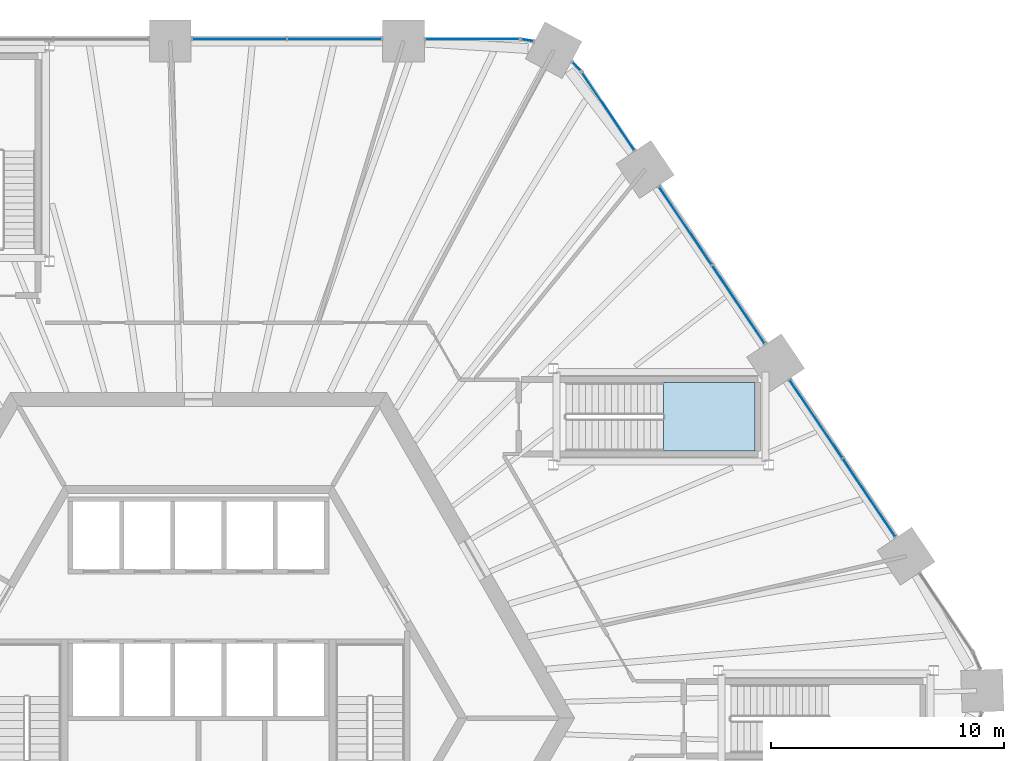
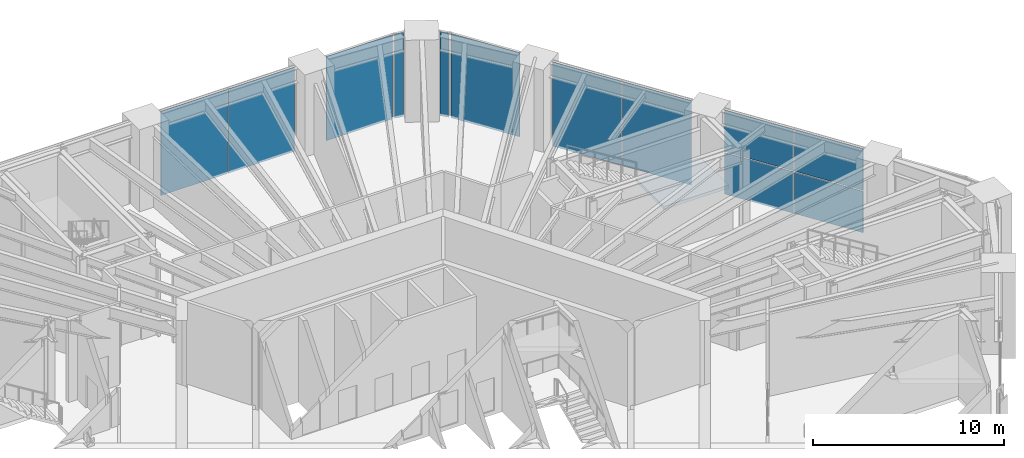
# One storey, part 19 of 30: 12 plates, 1 slab, 8 elements without a shape of their own.
"""IFC4 building model written with IfcOpenShell, lengths in metres."""

from ifc_helpers import new_model, si_unit, direction, frame, origin, origin_2d, place, context, subcontext, project, spatial, polyline, rectangle, outline, extrude, material, layer, layer_set, type_object, element, aggregate, save


model = new_model("IFC4")

# Units and contexts
model_context = context("Model", 3, precision=1e-05, world=origin(), true_north=direction((0.0, 1.0)))
body_context = subcontext(model_context, "Body", "Model", "MODEL_VIEW")
ifc_project = project(units=[si_unit("LENGTHUNIT", "METRE"), si_unit("AREAUNIT", "SQUARE_METRE"), si_unit("VOLUMEUNIT", "CUBIC_METRE"), si_unit("PLANEANGLEUNIT", "RADIAN"), si_unit("MASSUNIT", "GRAM", prefix="KILO")], contexts=[model_context])

# Site, building, storey
site_placement = place(None, origin())
site = spatial("IfcSite", under=ifc_project, at=site_placement, CompositionType="ELEMENT")
building_placement = place(site_placement, origin())
building = spatial("IfcBuilding", under=site, at=building_placement, Name="Tarnside Tower", CompositionType="ELEMENT")
storey_placement = place(building_placement, frame((0.0, 0.0, 15.0)))
storey = spatial("IfcBuildingStorey", under=building, at=storey_placement, Name="L02", CompositionType="ELEMENT", Elevation=15.0)

# Curtain wall, plates
ifc_material_1 = material(Name="Lobby entrance glazing wall", Category="glass")
curtain_wall_type_1 = type_object("IfcCurtainWallType", Name="Lobby entrance glazing wall", PredefinedType="NOTDEFINED", material=ifc_material_1)
curtain_wall_1_placement = place(storey_placement, origin())
curtain_wall_1 = element("IfcCurtainWall", 1, at=curtain_wall_1_placement, inside=storey, type_object=curtain_wall_type_1, Name="Lobby entrance glazing L02 20.0", PredefinedType="NOTDEFINED")
ifc_material_2 = material(Name="Low-iron safety glass", Category="glass")
ifc_layer_1 = layer(ifc_material_2, 0.030029296875)
ifc_layer_set_1 = layer_set([ifc_layer_1], Name="Lobby entrance glazing panel 30")
plate_type_1 = type_object("IfcPlateType", Name="Lobby entrance glazing panel 30", PredefinedType="CURTAIN_PANEL", material=ifc_layer_set_1)
plate_1_placement = place(storey_placement, frame((28.8193359375, 9.473876953125, -0.179931640625), z_axis=(0.0, 0.0, 1.0), x_axis=(-0.559192903485, 0.829037572545, 0.0)))
plate_1 = element("IfcPlate", 2, at=plate_1_placement, type_object=plate_type_1, Name="CW3 panel 1.1", PredefinedType="CURTAIN_PANEL", context=body_context, shape_type="SweptSolid", body=[
    extrude(rectangle(XDim=4.0068359375, YDim=0.030029296875, at=origin_2d()), origin(), (0.0, 0.0, 1.0), 2.64501953125),
])
plate_2_placement = place(storey_placement, frame((28.8193359375, 9.473876953125, 2.534912109375), z_axis=(0.0, 0.0, 1.0), x_axis=(-0.559192903485, 0.829037572545, 0.0)))
plate_2 = element("IfcPlate", 3, at=plate_2_placement, type_object=plate_type_1, Name="CW3 panel 1.2", PredefinedType="CURTAIN_PANEL", context=body_context, shape_type="SweptSolid", body=[
    extrude(rectangle(XDim=4.0068359375, YDim=0.030029296875, at=origin_2d()), origin(), (0.0, 0.0, 1.0), 2.64501953125),
])
plate_3_placement = place(storey_placement, frame((26.53955078125, 12.853759765625, -0.179931640625), z_axis=(0.0, 0.0, 1.0), x_axis=(-0.559192903485, 0.829037572545, 0.0)))
plate_3 = element("IfcPlate", 4, at=plate_3_placement, type_object=plate_type_1, Name="CW3 panel 2.1", PredefinedType="CURTAIN_PANEL", context=body_context, shape_type="SweptSolid", body=[
    extrude(rectangle(XDim=4.0068359375, YDim=0.030029296875, at=origin_2d()), origin(), (0.0, 0.0, 1.0), 2.64501953125),
])
plate_4_placement = place(storey_placement, frame((26.53955078125, 12.853759765625, 2.534912109375), z_axis=(0.0, 0.0, 1.0), x_axis=(-0.559192903485, 0.829037572545, 0.0)))
plate_4 = element("IfcPlate", 5, at=plate_4_placement, type_object=plate_type_1, Name="CW3 panel 2.2", PredefinedType="CURTAIN_PANEL", context=body_context, shape_type="SweptSolid", body=[
    extrude(rectangle(XDim=4.0068359375, YDim=0.030029296875, at=origin_2d()), origin(), (0.0, 0.0, 1.0), 2.64501953125),
])
aggregate(curtain_wall_1, [plate_1, plate_2, plate_3, plate_4])

# Stair, slab
ifc_material_3 = material(Name="Concrete C40/50", Category="concrete")
stair_type = type_object("IfcStairType", Name="Podium exit stair 1400 clear", PredefinedType="HALF_TURN_STAIR", material=ifc_material_3)
stair_placement = place(storey_placement, origin())
stair = element("IfcStair", 6, at=stair_placement, inside=storey, type_object=stair_type, Name="L02 Podium exit stair 4", PredefinedType="HALF_TURN_STAIR")
ifc_layer_2 = layer(ifc_material_3, 0.199951171875)
ifc_layer_set_2 = layer_set([ifc_layer_2], Name="Podium stair landing 200 C40/50")
slab_type = type_object("IfcSlabType", Name="Podium stair landing 200 C40/50", PredefinedType="LANDING", material=ifc_layer_set_2)
slab_placement = place(storey_placement, frame((0.0, 0.0, 2.550048828125)))
slab = element("IfcSlab", 7, at=slab_placement, type_object=slab_type, Name="PS4 landing 1", PredefinedType="LANDING", context=body_context, shape_type="SweptSolid", body=[
    extrude(outline(polyline([(19.989990234375, 11.47509765625), (23.909912109375, 11.47509765625), (23.909912109375, 14.425048828125), (19.989990234375, 14.425048828125), (19.989990234375, 11.47509765625)])), origin(), (0.0, 0.0, 1.0), 0.199951171875),
])
aggregate(stair, [slab])

# Curtain wall, plates
ifc_material_4 = material(Name="Retail shopfront glazing wall", Category="glass")
curtain_wall_type_2 = type_object("IfcCurtainWallType", Name="Retail shopfront glazing wall", PredefinedType="NOTDEFINED", material=ifc_material_4)
curtain_wall_2_placement = place(storey_placement, origin())
curtain_wall_2 = element("IfcCurtainWall", 8, at=curtain_wall_2_placement, inside=storey, type_object=curtain_wall_type_2, Name="Retail shopfront glazing L02 00.0", PredefinedType="NOTDEFINED")
ifc_layer_3 = layer(ifc_material_2, 0.028076171875)
ifc_layer_set_3 = layer_set([ifc_layer_3], Name="Retail shopfront glazing panel 28")
plate_type_2 = type_object("IfcPlateType", Name="Retail shopfront glazing panel 28", PredefinedType="CURTAIN_PANEL", material=ifc_layer_set_3)
plate_5_placement = place(storey_placement, frame((5.841796875, 29.179931640625, -0.18994140625), z_axis=(0.0, 0.0, 1.0), x_axis=(-1.0, 0.0, 0.0)))
plate_5 = element("IfcPlate", 9, at=plate_5_placement, type_object=plate_type_2, Name="CW2 panel 1.1", PredefinedType="CURTAIN_PANEL", context=body_context, shape_type="SweptSolid", body=[
    extrude(rectangle(XDim=4.021728515625, YDim=0.028076171875, at=origin_2d()), origin(), (0.0, 0.0, 1.0), 5.3798828125),
])
plate_6_placement = place(storey_placement, frame((1.759765625, 29.179931640625, -0.18994140625), z_axis=(0.0, 0.0, 1.0), x_axis=(-1.0, 0.0, 0.0)))
plate_6 = element("IfcPlate", 10, at=plate_6_placement, type_object=plate_type_2, Name="CW2 panel 2.1", PredefinedType="CURTAIN_PANEL", context=body_context, shape_type="SweptSolid", body=[
    extrude(rectangle(XDim=4.021728515625, YDim=0.028076171875, at=origin_2d()), origin(), (0.0, 0.0, 1.0), 5.3798828125),
])
aggregate(curtain_wall_2, [plate_5, plate_6])

curtain_wall_3_placement = place(storey_placement, origin())
curtain_wall_3 = element("IfcCurtainWall", 11, at=curtain_wall_3_placement, inside=storey, type_object=curtain_wall_type_2, Name="Retail shopfront glazing L02 21.0", PredefinedType="NOTDEFINED")
plate_7_placement = place(storey_placement, frame((23.207275390625, 17.776123046875, -0.18994140625), z_axis=(0.0, 0.0, 1.0), x_axis=(-0.559192903485, 0.829037572545, 0.0)))
plate_7 = element("IfcPlate", 12, at=plate_7_placement, type_object=plate_type_2, Name="CW2 panel 1.1", PredefinedType="CURTAIN_PANEL", context=body_context, shape_type="SweptSolid", body=[
    extrude(rectangle(XDim=4.021728515625, YDim=0.028076171875, at=origin_2d()), origin(), (0.0, 0.0, 1.0), 5.3798828125),
])
plate_8_placement = place(storey_placement, frame((20.9248046875, 21.16015625, -0.18994140625), z_axis=(0.0, 0.0, 1.0), x_axis=(-0.559192903485, 0.829037572545, 0.0)))
plate_8 = element("IfcPlate", 13, at=plate_8_placement, type_object=plate_type_2, Name="CW2 panel 2.1", PredefinedType="CURTAIN_PANEL", context=body_context, shape_type="SweptSolid", body=[
    extrude(rectangle(XDim=4.021728515625, YDim=0.028076171875, at=origin_2d()), origin(), (0.0, 0.0, 1.0), 5.3798828125),
])
aggregate(curtain_wall_3, [plate_7, plate_8])

# Curtain wall, plate
curtain_wall_4_placement = place(storey_placement, origin())
curtain_wall_4 = element("IfcCurtainWall", 14, at=curtain_wall_4_placement, inside=storey, type_object=curtain_wall_type_2, Name="Retail shopfront glazing L02 22.0", PredefinedType="NOTDEFINED")
plate_9_placement = place(storey_placement, frame((17.6103515625, 26.07373046875, -0.18994140625), z_axis=(0.0, 0.0, 1.0), x_axis=(-0.559192903413, 0.829037572594, 0.0)))
plate_9 = element("IfcPlate", 15, at=plate_9_placement, type_object=plate_type_2, Name="CW2 panel 1.1", PredefinedType="CURTAIN_PANEL", context=body_context, shape_type="SweptSolid", body=[
    extrude(rectangle(XDim=3.991943359375, YDim=0.028076171875, at=origin_2d()), origin(), (0.0, 0.0, 1.0), 5.3798828125),
])
aggregate(curtain_wall_4, [plate_9])

curtain_wall_5_placement = place(storey_placement, origin())
curtain_wall_5 = element("IfcCurtainWall", 16, at=curtain_wall_5_placement, inside=storey, type_object=curtain_wall_type_2, Name="Retail shopfront glazing L02 22.1", PredefinedType="NOTDEFINED")
plate_10_placement = place(storey_placement, frame((16.243896484375, 28.009521484375, -0.18994140625), z_axis=(0.0, 0.0, 1.0), x_axis=(-0.686241637814, 0.727373641625, 0.0)))
plate_10 = element("IfcPlate", 17, at=plate_10_placement, type_object=plate_type_2, Name="CW2 panel 1.1", PredefinedType="CURTAIN_PANEL", context=body_context, shape_type="SweptSolid", body=[
    extrude(rectangle(XDim=0.48828125, YDim=0.028076171875, at=origin_2d()), origin(), (0.0, 0.0, 1.0), 5.3798828125),
])
aggregate(curtain_wall_5, [plate_10])

curtain_wall_6_placement = place(storey_placement, origin())
curtain_wall_6 = element("IfcCurtainWall", 18, at=curtain_wall_6_placement, inside=storey, type_object=curtain_wall_type_2, Name="Retail shopfront glazing L02 23.0", PredefinedType="NOTDEFINED")
plate_11_placement = place(storey_placement, frame((14.137451171875, 29.129638671875, -0.18994140625), z_axis=(0.0, 0.0, 1.0), x_axis=(-0.986761531995, 0.162177923823, 0.0)))
plate_11 = element("IfcPlate", 19, at=plate_11_placement, type_object=plate_type_2, Name="CW2 panel 1.1", PredefinedType="CURTAIN_PANEL", context=body_context, shape_type="SweptSolid", body=[
    extrude(rectangle(XDim=0.48828125, YDim=0.028076171875, at=origin_2d()), origin(), (0.0, 0.0, 1.0), 5.3798828125),
])
aggregate(curtain_wall_6, [plate_11])

curtain_wall_7_placement = place(storey_placement, origin())
curtain_wall_7 = element("IfcCurtainWall", 20, at=curtain_wall_7_placement, inside=storey, type_object=curtain_wall_type_2, Name="Retail shopfront glazing L02 23.1", PredefinedType="NOTDEFINED")
plate_12_placement = place(storey_placement, frame((11.7685546875, 29.179931640625, -0.18994140625), z_axis=(0.0, 0.0, 1.0), x_axis=(-1.0, 0.0, 0.0)))
plate_12 = element("IfcPlate", 21, at=plate_12_placement, type_object=plate_type_2, Name="CW2 panel 1.1", PredefinedType="CURTAIN_PANEL", context=body_context, shape_type="SweptSolid", body=[
    extrude(rectangle(XDim=3.991943359375, YDim=0.028076171875, at=origin_2d()), origin(), (0.0, 0.0, 1.0), 5.3798828125),
])
aggregate(curtain_wall_7, [plate_12])

save(model, "model.ifc")
